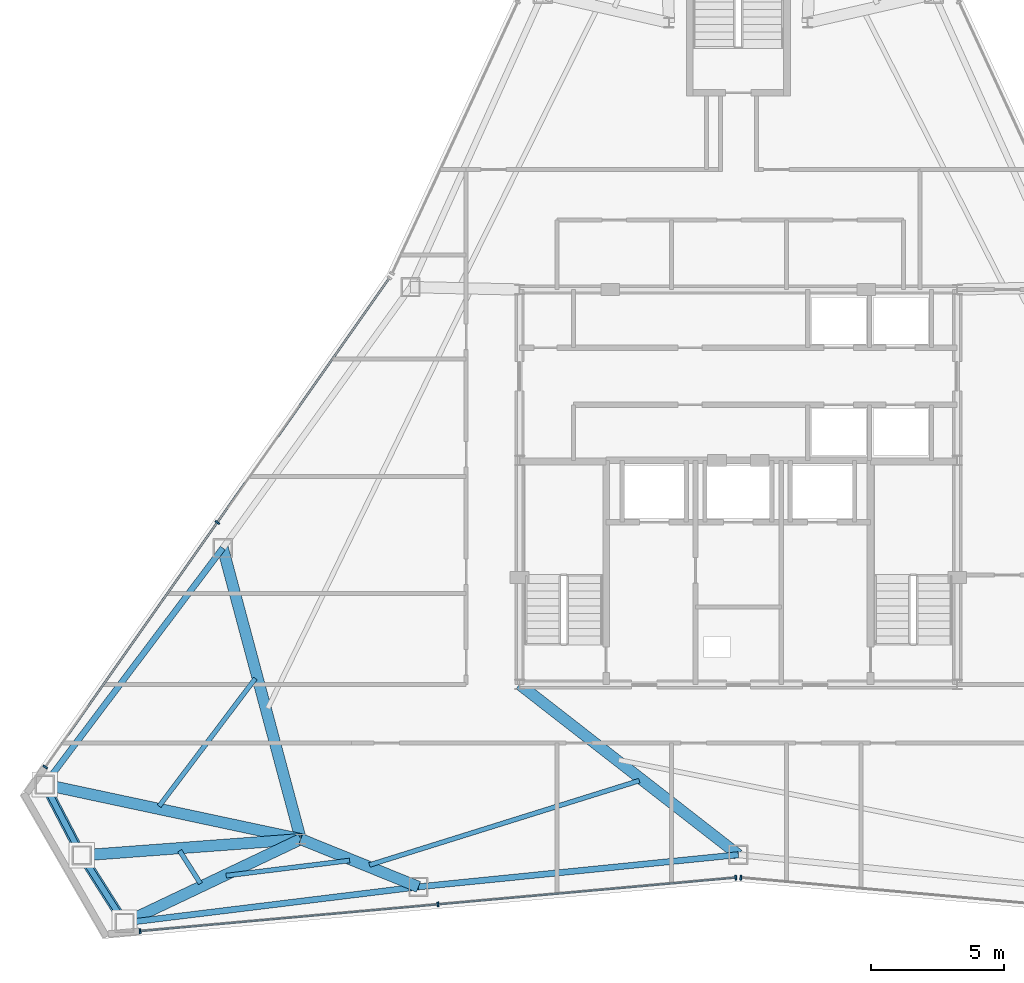
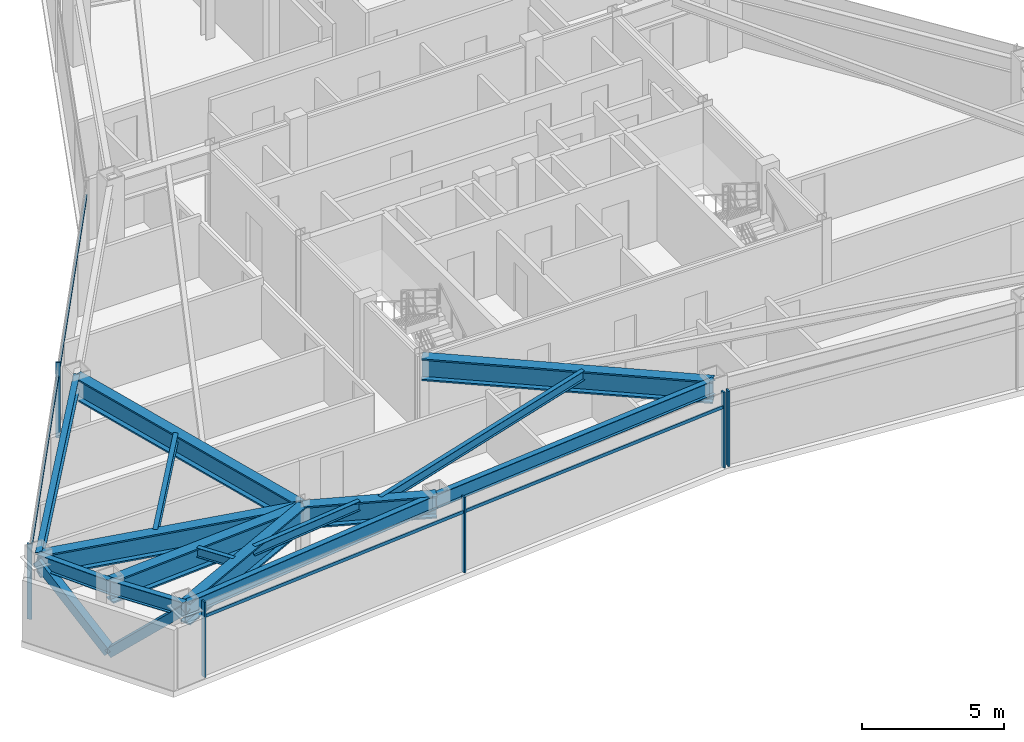
# One storey, part 3 of 12: 15 beams, 10 members, 3 elements without a shape of their own.
"""IFC4 building model written with IfcOpenShell, lengths in metres."""

from ifc_helpers import new_model, si_unit, direction, frame, origin, origin_2d, place, context, subcontext, project, spatial, rectangle, hollow_rectangle, i_section, extrude, source, transform, mapped, material, layer, layer_set, material_profile, profile_set, type_object, type_shapes, element, aggregate, save


model = new_model("IFC4")

# Units and contexts
model_context = context("Model", 3, precision=1e-05, world=origin(), true_north=direction((0.0, 1.0)))
body_context = subcontext(model_context, "Body", "Model", "MODEL_VIEW")
ifc_project = project(units=[si_unit("LENGTHUNIT", "METRE"), si_unit("AREAUNIT", "SQUARE_METRE"), si_unit("VOLUMEUNIT", "CUBIC_METRE"), si_unit("PLANEANGLEUNIT", "RADIAN"), si_unit("MASSUNIT", "GRAM", prefix="KILO")], contexts=[model_context])

# Site, building, storey
site_placement = place(None, origin())
site = spatial("IfcSite", under=ifc_project, at=site_placement, CompositionType="ELEMENT")
building_placement = place(site_placement, origin())
building = spatial("IfcBuilding", under=site, at=building_placement, Name="Varakhsha Concourse Tower", CompositionType="ELEMENT")
storey_placement = place(building_placement, frame((0.0, 0.0, 236.39990234375)))
storey = spatial("IfcBuildingStorey", under=building, at=storey_placement, Name="L67", CompositionType="ELEMENT", Elevation=236.39990234375)

# Beams
ifc_material_1 = material(Name="Structural Steel ASTM A992 Grade 50", Category="steel")
ifc_material_profile_1 = material_profile(ifc_material_1, i_section(OverallWidth=0.177978515625, OverallDepth=0.406982421875, WebThickness=0.008056640625, FlangeThickness=0.012939453125, at=origin_2d()), Name="W16X40")
ifc_profile_set_1 = profile_set([ifc_material_profile_1], Name="Structural Steel ASTM A992 Grade 50")
beam_type_1 = type_object("IfcBeamType", Name="BM-JST-W16X40", PredefinedType="JOIST", material=ifc_profile_set_1)
beam_1_placement = place(storey_placement, frame((21.898193359375, 16.621826171875, 3.046630859375), z_axis=(-0.601706040047, -0.79871762305, 0.0), x_axis=(0.79871762305, -0.601706040047, 0.0)))
element("IfcBeam", 1, at=beam_1_placement, inside=storey, type_object=beam_type_1, Name="BM-TJST-L67-06", PredefinedType="JOIST", context=body_context, shape_type="SweptSolid", body=[
    extrude(i_section(OverallWidth=0.177978515625, OverallDepth=0.406982421875, WebThickness=0.008056640625, FlangeThickness=0.012939453125, at=origin_2d()), origin(), (0.0, 0.0, 1.0), 5.994140625),
])
beam_2_placement = place(storey_placement, frame((19.061279296875, 10.166259765625, 3.046630859375), z_axis=(0.536051708421, -0.844185149063, 0.0), x_axis=(0.844185149063, 0.536051708421, 0.0)))
element("IfcBeam", 2, at=beam_2_placement, inside=storey, type_object=beam_type_1, Name="BM-TJST-L67-08", PredefinedType="JOIST", context=body_context, shape_type="SweptSolid", body=[
    extrude(i_section(OverallWidth=0.177978515625, OverallDepth=0.406982421875, WebThickness=0.008056640625, FlangeThickness=0.012939453125, at=origin_2d()), origin(), (0.0, 0.0, 1.0), 1.457763671875),
])
beam_3_placement = place(storey_placement, frame((20.803466796875, 9.232666015625, 3.046630859375), z_axis=(0.992562003635, 0.121740169785, 0.0), x_axis=(-0.121740169785, 0.992562003635, 0.0)))
element("IfcBeam", 3, at=beam_3_placement, inside=storey, type_object=beam_type_1, Name="BM-TJST-L67-09", PredefinedType="JOIST", context=body_context, shape_type="SweptSolid", body=[
    extrude(i_section(OverallWidth=0.177978515625, OverallDepth=0.406982421875, WebThickness=0.008056640625, FlangeThickness=0.012939453125, at=origin_2d()), origin(), (0.0, 0.0, 1.0), 4.66259765625),
])
beam_4_placement = place(storey_placement, frame((26.1748046875, 9.6318359375, 3.046630859375), z_axis=(0.954452092333, 0.298364212736, 0.0), x_axis=(-0.298364212736, 0.954452092333, 0.0)))
element("IfcBeam", 4, at=beam_4_placement, inside=storey, type_object=beam_type_1, Name="BM-TJST-L67-10", PredefinedType="JOIST", context=body_context, shape_type="SweptSolid", body=[
    extrude(i_section(OverallWidth=0.177978515625, OverallDepth=0.406982421875, WebThickness=0.008056640625, FlangeThickness=0.012939453125, at=origin_2d()), origin(), (0.0, 0.0, 1.0), 10.594970703125),
])
ifc_material_profile_2 = material_profile(ifc_material_1, i_section(OverallWidth=0.423095703125, OverallDepth=0.947998046875, WebThickness=0.0380859375, FlangeThickness=0.06396484375, at=origin_2d()), Name="W36X302")
ifc_profile_set_2 = profile_set([ifc_material_profile_2], Name="Structural Steel ASTM A992 Grade 50")
beam_type_2 = type_object("IfcBeamType", Name="BM-OUTR-W36X302", PredefinedType="USERDEFINED", material=ifc_profile_set_2)
beam_5_placement = place(storey_placement, frame((23.60009765625, 10.60009765625, 2.776123046875), z_axis=(-0.258615069027, 0.965980458432, 0.0), x_axis=(-0.965980458432, -0.258615069027, 0.0)))
element("IfcBeam", 5, at=beam_5_placement, inside=storey, type_object=beam_type_2, Name="L67 Radial Floor Girder 06", ObjectType="GIRDER", PredefinedType="USERDEFINED", context=body_context, shape_type="SweptSolid", body=[
    extrude(i_section(OverallWidth=0.423095703125, OverallDepth=0.947998046875, WebThickness=0.0380859375, FlangeThickness=0.06396484375, at=origin_2d()), origin(), (0.0, 0.0, 1.0), 11.29443359375),
])
beam_6_placement = place(storey_placement, frame((23.60009765625, 10.60009765625, 2.776123046875), z_axis=(-0.978004747479, 0.208582630889, 0.0), x_axis=(-0.208582630889, -0.978004747479, 0.0)))
element("IfcBeam", 6, at=beam_6_placement, inside=storey, type_object=beam_type_2, Name="L67 Radial Floor Girder 07", ObjectType="GIRDER", PredefinedType="USERDEFINED", context=body_context, shape_type="SweptSolid", body=[
    extrude(i_section(OverallWidth=0.423095703125, OverallDepth=0.947998046875, WebThickness=0.0380859375, FlangeThickness=0.06396484375, at=origin_2d()), origin(), (0.0, 0.0, 1.0), 9.813232421875),
])
beam_7_placement = place(storey_placement, frame((23.60009765625, 10.60009765625, 2.776123046875), z_axis=(-0.997261277547, -0.073959071819, 0.0), x_axis=(0.073959071819, -0.997261277547, 0.0)))
element("IfcBeam", 7, at=beam_7_placement, inside=storey, type_object=beam_type_2, Name="L67 Radial Floor Girder 08", ObjectType="GIRDER", PredefinedType="USERDEFINED", context=body_context, shape_type="SweptSolid", body=[
    extrude(i_section(OverallWidth=0.423095703125, OverallDepth=0.947998046875, WebThickness=0.0380859375, FlangeThickness=0.06396484375, at=origin_2d()), origin(), (0.0, 0.0, 1.0), 8.232666015625),
])
beam_8_placement = place(storey_placement, frame((23.60009765625, 10.60009765625, 2.776123046875), z_axis=(-0.903209554436, -0.429199837809, 0.0), x_axis=(0.429199837809, -0.903209554436, 0.0)))
element("IfcBeam", 8, at=beam_8_placement, inside=storey, type_object=beam_type_2, Name="L67 Radial Floor Girder 09", ObjectType="GIRDER", PredefinedType="USERDEFINED", context=body_context, shape_type="SweptSolid", body=[
    extrude(i_section(OverallWidth=0.423095703125, OverallDepth=0.947998046875, WebThickness=0.0380859375, FlangeThickness=0.06396484375, at=origin_2d()), origin(), (0.0, 0.0, 1.0), 7.311767578125),
])
beam_9_placement = place(storey_placement, frame((23.60009765625, 10.60009765625, 2.776123046875), z_axis=(0.926761474879, -0.375650327672, 0.0), x_axis=(0.375650327672, 0.926761474879, 0.0)))
element("IfcBeam", 9, at=beam_9_placement, inside=storey, type_object=beam_type_2, Name="L67 Radial Floor Girder 10", ObjectType="GIRDER", PredefinedType="USERDEFINED", context=body_context, shape_type="SweptSolid", body=[
    extrude(i_section(OverallWidth=0.423095703125, OverallDepth=0.947998046875, WebThickness=0.0380859375, FlangeThickness=0.06396484375, at=origin_2d()), origin(), (0.0, 0.0, 1.0), 4.7587890625),
])
beam_10_placement = place(storey_placement, frame((31.800048828125, 16.39990234375, 2.776123046875), z_axis=(0.789138361813, -0.614215471895, 0.0), x_axis=(0.614215471895, 0.789138361813, 0.0)))
element("IfcBeam", 10, at=beam_10_placement, inside=storey, type_object=beam_type_2, Name="L67 Radial Floor Girder 11", ObjectType="GIRDER", PredefinedType="USERDEFINED", context=body_context, shape_type="SweptSolid", body=[
    extrude(i_section(OverallWidth=0.423095703125, OverallDepth=0.947998046875, WebThickness=0.0380859375, FlangeThickness=0.06396484375, at=origin_2d()), origin(), (0.0, 0.0, 1.0), 10.39111328125),
])
ifc_material_profile_3 = material_profile(ifc_material_1, i_section(OverallWidth=0.22900390625, OverallDepth=0.612060546875, WebThickness=0.011962890625, FlangeThickness=0.02001953125, at=origin_2d()), Name="W24X84")
ifc_profile_set_3 = profile_set([ifc_material_profile_3], Name="Structural Steel ASTM A992 Grade 50")
beam_type_3 = type_object("IfcBeamType", Name="BM-SPAN-W24X84", PredefinedType="SPANDREL", material=ifc_profile_set_3)
beam_11_placement = place(storey_placement, frame((20.67919921875, 21.51025390625, 2.944091796875), z_axis=(-0.601674316147, -0.79874152095, 0.0), x_axis=(0.79874152095, -0.601674316147, 0.0)))
element("IfcBeam", 11, at=beam_11_placement, inside=storey, type_object=beam_type_3, Name="BM-SPAN-L67-06", PredefinedType="SPANDREL", context=body_context, shape_type="SweptSolid", body=[
    extrude(i_section(OverallWidth=0.22900390625, OverallDepth=0.612060546875, WebThickness=0.011962890625, FlangeThickness=0.02001953125, at=origin_2d()), origin(), (0.0, 0.0, 1.0), 11.096435546875),
])
beam_12_placement = place(storey_placement, frame((14.002685546875, 12.64697265625, 2.944091796875), z_axis=(0.462983659194, -0.886366815331, 0.0), x_axis=(0.886366815331, 0.462983659194, 0.0)))
element("IfcBeam", 12, at=beam_12_placement, inside=storey, type_object=beam_type_3, Name="BM-SPAN-L67-07", PredefinedType="SPANDREL", context=body_context, shape_type="SweptSolid", body=[
    extrude(i_section(OverallWidth=0.22900390625, OverallDepth=0.612060546875, WebThickness=0.011962890625, FlangeThickness=0.02001953125, at=origin_2d()), origin(), (0.0, 0.0, 1.0), 2.996337890625),
])
beam_13_placement = place(storey_placement, frame((15.389892578125, 9.9912109375, 2.944091796875), z_axis=(0.536079112656, -0.84416774694, 0.0), x_axis=(0.84416774694, 0.536079112656, 0.0)))
element("IfcBeam", 13, at=beam_13_placement, inside=storey, type_object=beam_type_3, Name="BM-SPAN-L67-08", PredefinedType="SPANDREL", context=body_context, shape_type="SweptSolid", body=[
    extrude(i_section(OverallWidth=0.22900390625, OverallDepth=0.612060546875, WebThickness=0.011962890625, FlangeThickness=0.02001953125, at=origin_2d()), origin(), (0.0, 0.0, 1.0), 2.99609375),
])
beam_14_placement = place(storey_placement, frame((16.99609375, 7.4619140625, 2.944091796875), z_axis=(0.99256557361, 0.121711059831, 0.0), x_axis=(-0.121711059831, 0.99256557361, 0.0)))
element("IfcBeam", 14, at=beam_14_placement, inside=storey, type_object=beam_type_3, Name="BM-SPAN-L67-09", PredefinedType="SPANDREL", context=body_context, shape_type="SweptSolid", body=[
    extrude(i_section(OverallWidth=0.22900390625, OverallDepth=0.612060546875, WebThickness=0.011962890625, FlangeThickness=0.02001953125, at=origin_2d()), origin(), (0.0, 0.0, 1.0), 11.0966796875),
])
beam_15_placement = place(storey_placement, frame((28.01025390625, 8.8125, 2.944091796875), z_axis=(0.994986914397, 0.100005200763, 0.0), x_axis=(-0.100005200763, 0.994986914397, 0.0)))
element("IfcBeam", 15, at=beam_15_placement, inside=storey, type_object=beam_type_3, Name="BM-SPAN-L67-10", PredefinedType="SPANDREL", context=body_context, shape_type="SweptSolid", body=[
    extrude(i_section(OverallWidth=0.22900390625, OverallDepth=0.612060546875, WebThickness=0.011962890625, FlangeThickness=0.02001953125, at=origin_2d()), origin(), (0.0, 0.0, 1.0), 12.050048828125),
])

# Members
ifc_material_2 = material(Name="Structural Steel ASTM A500 Grade C", Category="steel")
ifc_material_profile_4 = material_profile(ifc_material_2, hollow_rectangle(XDim=0.35009765625, YDim=0.35009765625, WallThickness=0.01611328125, at=origin_2d()), Name="HSS 350x350x16")
ifc_profile_set_4 = profile_set([ifc_material_profile_4], Name="Structural Steel ASTM A500 Grade C")
member_type_1 = type_object("IfcMemberType", Name="MB-TUBE-HSS350", PredefinedType="BRACE", material=ifc_profile_set_4)
shared_shape_1 = source(origin(), body_context, "Body", "SweptSolid", [
    extrude(hollow_rectangle(XDim=0.35009765625, YDim=0.35009765625, WallThickness=0.01611328125, at=origin_2d()), origin(), (0.0, 0.0, 1.0), 4.12158203125),
])
type_shapes(member_type_1, [shared_shape_1])
for number, where, z_axis, x_axis, name in (
    (16, (15.389892578125, 9.9912109375, 0.1201171875), (-0.336578258561, 0.644367880434, 0.686662297297), (-0.886366815331, -0.462983659194, 0.0), "L67 Wind-Corner Tube Brace B03"),
    (17, (15.389892578125, 9.9912109375, 0.1201171875), (0.38971500648, -0.613687105507, 0.686666112648), (0.84416774694, 0.536079112656, 0.0), "L67 Wind-Corner Tube Brace B04"),
):
    element("IfcMember", number, at=place(storey_placement, frame(where, z_axis=z_axis, x_axis=x_axis)), inside=storey, type_object=member_type_1, Name=name, PredefinedType="BRACE", context=body_context, shape_type="MappedRepresentation", body=[
        mapped(shared_shape_1, transform((0.0, 0.0, 0.0), scale=1.0)),
    ])

# Curtain wall, members
ifc_material_3 = material(Name="Anodised Bronze Architectural Aluminium AA 6063-T6", Category="aluminium")
ifc_layer = layer(ifc_material_3, 0.199951171875, Name="CW-SYS-05")
ifc_layer_set = layer_set([ifc_layer], Name="Anodised Bronze Architectural Aluminium AA 6063-T6")
curtain_wall_type = type_object("IfcCurtainWallType", Name="CW-SYS-05", PredefinedType="NOTDEFINED", material=ifc_layer_set)
curtain_wall_1_placement = place(storey_placement, origin())
curtain_wall_1 = element("IfcCurtainWall", 18, at=curtain_wall_1_placement, inside=storey, type_object=curtain_wall_type, Name="L67 Crystal Curtain Wall F3", PredefinedType="NOTDEFINED")
ifc_material_profile_5 = material_profile(ifc_material_3, rectangle(XDim=0.06494140625, YDim=0.179931640625, at=origin_2d()), Name="CWM-180X65")
ifc_profile_set_5 = profile_set([ifc_material_profile_5], Name="Anodised Bronze Architectural Aluminium AA 6063-T6")
member_type_2 = type_object("IfcMemberType", Name="CWM-180X65", PredefinedType="MULLION", material=ifc_profile_set_5)
shared_shape_2 = source(origin(), body_context, "Body", "SweptSolid", [
    extrude(rectangle(XDim=0.06494140625, YDim=0.179931640625, at=origin_2d()), origin(), (0.0, 0.0, 1.0), 3.25),
])
type_shapes(member_type_2, [shared_shape_2])
member_1_placement = place(storey_placement, frame((14.02587890625, 13.305419921875, 0.0), z_axis=(0.0, 0.0, 1.0), x_axis=(0.575443547255, 0.817841502935, 0.0)))
member_1 = element("IfcMember", 19, at=member_1_placement, type_object=member_type_2, Name="CW-L67-F3 Mullion 00", PredefinedType="MULLION", context=body_context, shape_type="MappedRepresentation", body=[
    mapped(shared_shape_2, transform((0.0, 0.0, 0.0), scale=1.0)),
])
member_2_placement = place(storey_placement, frame((20.475830078125, 22.472412109375, 0.0), z_axis=(0.0, 0.0, 1.0), x_axis=(0.575443547255, 0.817841502935, 0.0)))
member_2 = element("IfcMember", 20, at=member_2_placement, type_object=member_type_2, Name="CW-L67-F3 Mullion 01", PredefinedType="MULLION", context=body_context, shape_type="MappedRepresentation", body=[
    mapped(shared_shape_2, transform((0.0, 0.0, 0.0), scale=1.0)),
])

curtain_wall_2_placement = place(storey_placement, origin())
curtain_wall_2 = element("IfcCurtainWall", 21, at=curtain_wall_2_placement, inside=storey, type_object=curtain_wall_type, Name="L67 Crystal Curtain Wall F5", PredefinedType="NOTDEFINED")
member_3_placement = place(storey_placement, frame((39.906005859375, 9.15771484375, 0.0), z_axis=(0.0, 0.0, 1.0), x_axis=(-0.995992823181, -0.089433193907, 0.0)))
member_3 = element("IfcMember", 22, at=member_3_placement, type_object=member_type_2, Name="CW-L67-F5 Mullion 00", PredefinedType="MULLION", context=body_context, shape_type="MappedRepresentation", body=[
    mapped(shared_shape_2, transform((0.0, 0.0, 0.0), scale=1.0)),
])
member_4_placement = place(storey_placement, frame((28.741943359375, 8.155517578125, 0.0), z_axis=(0.0, 0.0, 1.0), x_axis=(-0.995992823181, -0.089433193907, 0.0)))
member_4 = element("IfcMember", 23, at=member_4_placement, type_object=member_type_2, Name="CW-L67-F5 Mullion 01", PredefinedType="MULLION", context=body_context, shape_type="MappedRepresentation", body=[
    mapped(shared_shape_2, transform((0.0, 0.0, 0.0), scale=1.0)),
])
member_5_placement = place(storey_placement, frame((17.577880859375, 7.15283203125, 0.0), z_axis=(0.0, 0.0, 1.0), x_axis=(-0.995992823181, -0.089433193907, 0.0)))
member_5 = element("IfcMember", 24, at=member_5_placement, type_object=member_type_2, Name="CW-L67-F5 Mullion 02", PredefinedType="MULLION", context=body_context, shape_type="MappedRepresentation", body=[
    mapped(shared_shape_2, transform((0.0, 0.0, 0.0), scale=1.0)),
])

# Curtain wall, member
curtain_wall_3_placement = place(storey_placement, origin())
curtain_wall_3 = element("IfcCurtainWall", 25, at=curtain_wall_3_placement, inside=storey, type_object=curtain_wall_type, Name="L67 Crystal Curtain Wall F6", PredefinedType="NOTDEFINED")
member_6_placement = place(storey_placement, frame((40.093994140625, 9.15771484375, 0.0), z_axis=(0.0, 0.0, 1.0), x_axis=(-0.995992823181, 0.089433193907, 0.0)))
member_6 = element("IfcMember", 26, at=member_6_placement, type_object=member_type_2, Name="CW-L67-F6 Mullion 02", PredefinedType="MULLION", context=body_context, shape_type="MappedRepresentation", body=[
    mapped(shared_shape_2, transform((0.0, 0.0, 0.0), scale=1.0)),
])
aggregate(curtain_wall_3, [member_6])

# Member
ifc_material_profile_6 = material_profile(ifc_material_3, rectangle(XDim=0.06005859375, YDim=0.139892578125, at=origin_2d()), Name="CWT-140X60")
ifc_profile_set_6 = profile_set([ifc_material_profile_6], Name="Anodised Bronze Architectural Aluminium AA 6063-T6")
member_type_3 = type_object("IfcMemberType", Name="CWT-140X60", PredefinedType="USERDEFINED", material=ifc_profile_set_6)
shared_shape_3 = source(origin(), body_context, "Body", "SweptSolid", [
    extrude(rectangle(XDim=0.06005859375, YDim=0.139892578125, at=origin_2d()), origin(), (0.0, 0.0, 1.0), 22.41796875),
])
member_7_placement = place(storey_placement, frame((39.906005859375, 9.15771484375, 2.60009765625), z_axis=(-0.995992929457, -0.08943201033, 0.0), x_axis=(0.08943201033, -0.995992929457, 0.0)))
member_7 = element("IfcMember", 27, at=member_7_placement, type_object=member_type_3, Name="CW-L67-F5 Transom 01", ObjectType="TRANSOM", PredefinedType="USERDEFINED", context=body_context, shape_type="MappedRepresentation", body=[
    mapped(shared_shape_3, transform((0.0, 0.0, 0.0), scale=1.0)),
])

aggregate(curtain_wall_2, [member_3, member_4, member_5, member_7])

shared_shape_4 = source(origin(), body_context, "Body", "SweptSolid", [
    extrude(rectangle(XDim=0.06005859375, YDim=0.139892578125, at=origin_2d()), origin(), (0.0, 0.0, 1.0), 22.417724609375),
])
type_shapes(member_type_3, [shared_shape_3, shared_shape_4])
member_8_placement = place(storey_placement, frame((14.02587890625, 13.305419921875, 2.60009765625), z_axis=(0.575442149843, 0.81784248617, 0.0), x_axis=(-0.81784248617, 0.575442149843, 0.0)))
member_8 = element("IfcMember", 28, at=member_8_placement, type_object=member_type_3, Name="CW-L67-F3 Transom 01", ObjectType="TRANSOM", PredefinedType="USERDEFINED", context=body_context, shape_type="MappedRepresentation", body=[
    mapped(shared_shape_4, transform((0.0, 0.0, 0.0), scale=1.0)),
])

aggregate(curtain_wall_1, [member_1, member_2, member_8])

save(model, "model.ifc")
